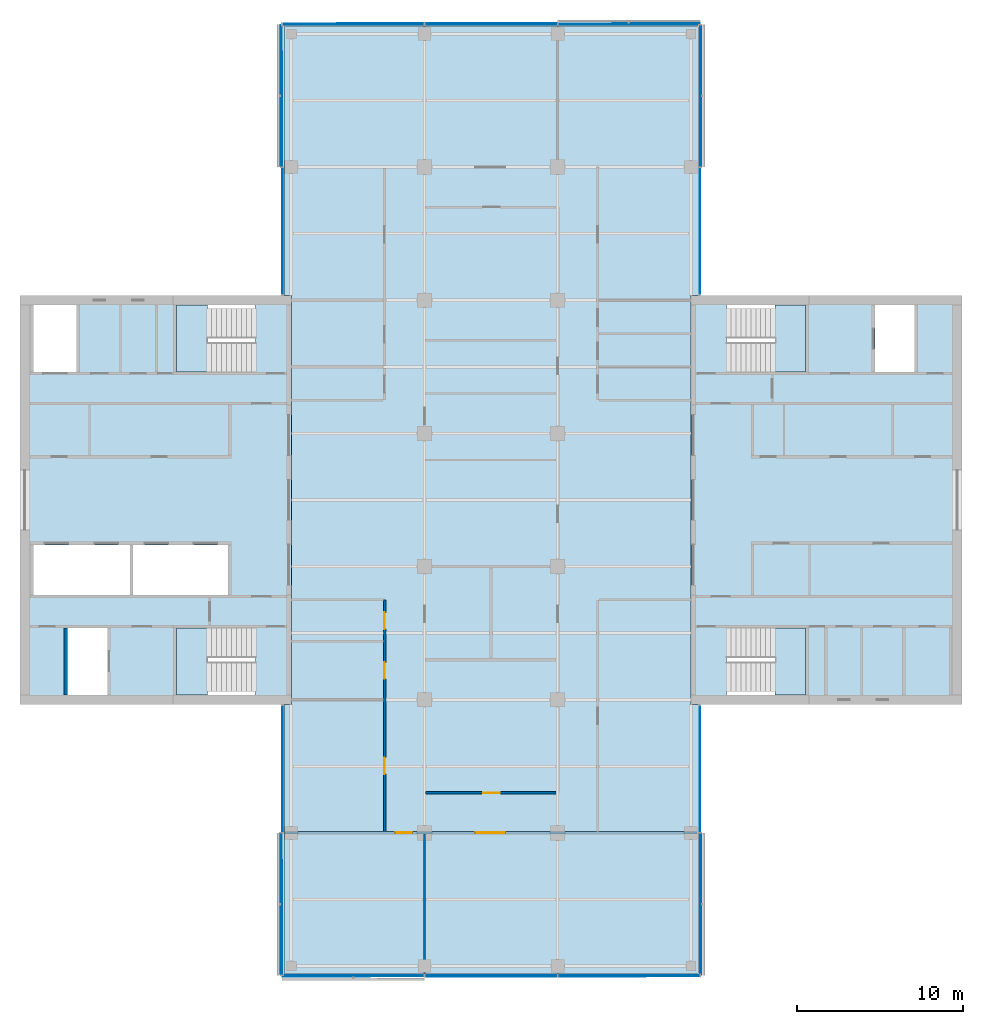
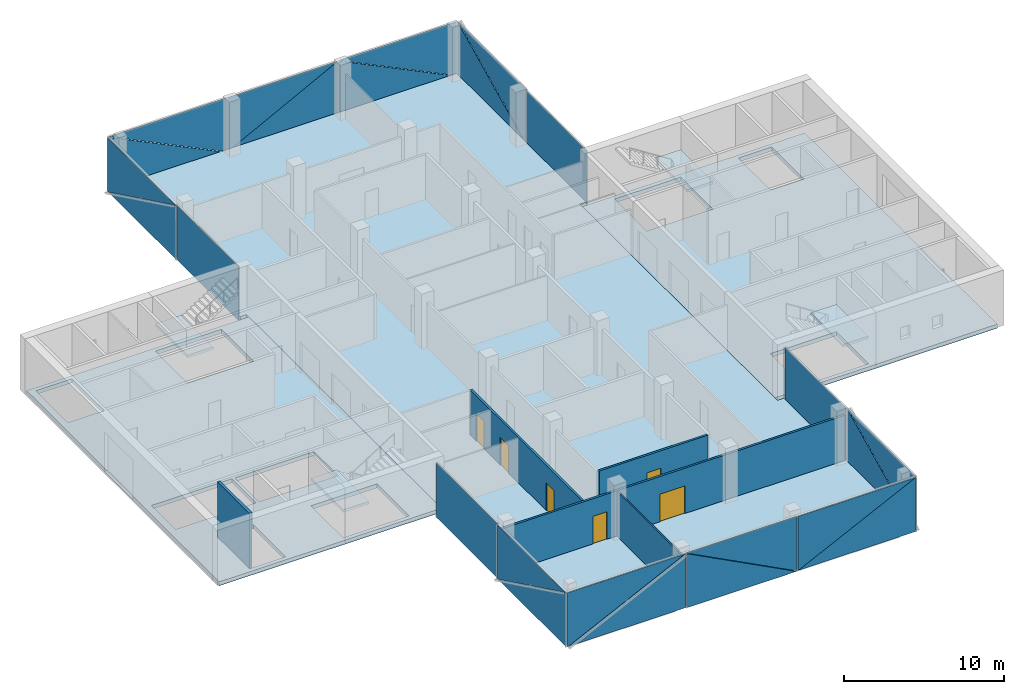
# One storey, part 8 of 15: 24 plates, 7 slabs, 6 doors, 5 walls, 6 openings, 14 elements without a shape of their own.
"""IFC4 building model written with IfcOpenShell, lengths in metres."""

from ifc_helpers import new_model, si_unit, direction, frame, frame_2d, origin, place, context, subcontext, project, spatial, polyline, rectangle, outline, extrude, material, layer, layer_set, type_object, element, fill, aggregate, save


model = new_model("IFC4")

# Units and contexts
model_context = context("Model", 3, precision=1e-05, world=origin(), true_north=direction((0.0, 1.0)))
body_context = subcontext(model_context, "Body", "Model", "MODEL_VIEW")
ifc_project = project(units=[si_unit("LENGTHUNIT", "METRE"), si_unit("AREAUNIT", "SQUARE_METRE"), si_unit("VOLUMEUNIT", "CUBIC_METRE"), si_unit("PLANEANGLEUNIT", "RADIAN"), si_unit("MASSUNIT", "GRAM", prefix="KILO")], contexts=[model_context])

# Site, building, storey
site_placement = place(None, origin())
site = spatial("IfcSite", under=ifc_project, at=site_placement, CompositionType="ELEMENT")
building_placement = place(site_placement, origin())
building = spatial("IfcBuilding", under=site, at=building_placement, Name="Crosswind Convention Tower", CompositionType="ELEMENT")
storey_placement = place(building_placement, frame((0.0, 0.0, 220.89990234375)))
storey = spatial("IfcBuildingStorey", under=building, at=storey_placement, Name="L47", CompositionType="ELEMENT", Elevation=220.89990234375)

# Slabs
ifc_material_1 = material(Name="Concrete C40/50", Category="concrete")
ifc_layer_1 = layer(ifc_material_1, 0.300048828125)
ifc_layer_set_1 = layer_set([ifc_layer_1], Name="Concrete C40/50")
slab_type_1 = type_object("IfcSlabType", Name="Composite floor slab 300", PredefinedType="FLOOR", material=ifc_layer_set_1)
slab_1_placement = place(storey_placement, frame((0.0, 0.0, -0.2998046875)))
element("IfcSlab", 1, at=slab_1_placement, inside=storey, type_object=slab_type_1, Name="Floor slab L47", PredefinedType="FLOOR", context=body_context, shape_type="SweptSolid", body=[
    extrude(outline(polyline([(137.449951171875, 71.550048828125), (137.0, 71.550048828125), (113.0, 71.550048828125), (112.550048828125, 71.550048828125), (112.550048828125, 72.0), (112.550048828125, 87.699951171875), (113.0, 87.699951171875), (113.0, 112.300048828125), (112.550048828125, 112.300048828125), (112.550048828125, 128.0), (112.550048828125, 128.449951171875), (113.0, 128.449951171875), (137.0, 128.449951171875), (137.449951171875, 128.449951171875), (137.449951171875, 128.0), (137.449951171875, 112.300048828125), (137.0, 112.300048828125), (137.0, 87.699951171875), (137.449951171875, 87.699951171875), (137.449951171875, 72.0), (137.449951171875, 71.550048828125)])), origin(), (0.0, 0.0, 1.0), 0.2998046875),
])
ifc_layer_2 = layer(ifc_material_1, 0.300048828125)
ifc_layer_set_2 = layer_set([ifc_layer_2], Name="Concrete C40/50")
slab_type_2 = type_object("IfcSlabType", Name="Concrete core floor slab 300", PredefinedType="FLOOR", material=ifc_layer_set_2)
slab_2_placement = place(storey_placement, frame((0.0, 0.0, -0.2998046875)))
element("IfcSlab", 2, at=slab_2_placement, inside=storey, type_object=slab_type_2, Name="Core floor slab E L47", PredefinedType="FLOOR", context=body_context, shape_type="SweptSolid", body=[
    extrude(outline(polyline([(137.0, 88.0), (153.0, 88.0), (153.0, 112.0), (137.0, 112.0), (137.0, 88.0)]), holes=[polyline([(150.449951171875, 107.699951171875), (150.449951171875, 111.699951171875), (148.050048828125, 111.699951171875), (148.050048828125, 107.699951171875), (150.449951171875, 107.699951171875)]), polyline([(143.89990234375, 107.699951171875), (143.89990234375, 111.699951171875), (139.14990234375, 111.699951171875), (139.14990234375, 107.699951171875), (143.89990234375, 107.699951171875)]), polyline([(143.89990234375, 88.300048828125), (143.89990234375, 92.300048828125), (139.14990234375, 92.300048828125), (139.14990234375, 88.300048828125), (143.89990234375, 88.300048828125)])]), origin(), (0.0, 0.0, 1.0), 0.2998046875),
])
slab_3_placement = place(storey_placement, frame((0.0, 0.0, -0.2998046875)))
element("IfcSlab", 3, at=slab_3_placement, inside=storey, type_object=slab_type_2, Name="Core floor slab W L47", PredefinedType="FLOOR", context=body_context, shape_type="SweptSolid", body=[
    extrude(outline(polyline([(97.0, 88.0), (113.0, 88.0), (113.0, 112.0), (97.0, 112.0), (97.0, 88.0)]), holes=[polyline([(109.199951171875, 94.300048828125), (109.199951171875, 97.300048828125), (103.5, 97.300048828125), (103.5, 94.300048828125), (109.199951171875, 94.300048828125)]), polyline([(103.300048828125, 94.300048828125), (103.300048828125, 97.300048828125), (97.5, 97.300048828125), (97.5, 94.300048828125), (103.300048828125, 94.300048828125)]), polyline([(101.949951171875, 88.300048828125), (101.949951171875, 92.300048828125), (99.550048828125, 92.300048828125), (99.550048828125, 88.300048828125), (101.949951171875, 88.300048828125)]), polyline([(100.10009765625, 107.699951171875), (100.10009765625, 111.699951171875), (97.5, 111.699951171875), (97.5, 107.699951171875), (100.10009765625, 107.699951171875)]), polyline([(110.85009765625, 88.300048828125), (110.85009765625, 92.300048828125), (106.10009765625, 92.300048828125), (106.10009765625, 88.300048828125), (110.85009765625, 88.300048828125)]), polyline([(110.85009765625, 107.699951171875), (110.85009765625, 111.699951171875), (106.10009765625, 111.699951171875), (106.10009765625, 107.699951171875), (110.85009765625, 107.699951171875)])]), origin(), (0.0, 0.0, 1.0), 0.2998046875),
])

# Stair, slab
stair_type = type_object("IfcStairType", Name="Exit stair 1800 wide, 2 flights of 11 risers", PredefinedType="HALF_TURN_STAIR", material=ifc_material_1)
stair_1_placement = place(storey_placement, origin())
stair_1 = element("IfcStair", 4, at=stair_1_placement, inside=storey, type_object=stair_type, Name="Exit stair ST1 L47", ObjectType="ST5", PredefinedType="HALF_TURN_STAIR")
ifc_layer_3 = layer(ifc_material_1, 0.199951171875)
ifc_layer_set_3 = layer_set([ifc_layer_3], Name="Concrete C40/50")
slab_type_3 = type_object("IfcSlabType", Name="Stair landing 200", PredefinedType="LANDING", material=ifc_layer_set_3)
slab_4_placement = place(storey_placement, frame((0.0, 0.0, 1.900146484375)))
slab_4 = element("IfcSlab", 5, at=slab_4_placement, type_object=slab_type_3, Name="ST1 landing 1", PredefinedType="LANDING", context=body_context, shape_type="SweptSolid", body=[
    extrude(outline(polyline([(143.89990234375, 107.699951171875), (143.89990234375, 111.699951171875), (142.050048828125, 111.699951171875), (142.050048828125, 107.699951171875), (143.89990234375, 107.699951171875)])), origin(), (0.0, 0.0, 1.0), 0.199951171875),
])
aggregate(stair_1, [slab_4])

stair_2_placement = place(storey_placement, origin())
stair_2 = element("IfcStair", 6, at=stair_2_placement, inside=storey, type_object=stair_type, Name="Exit stair ST2 L47", ObjectType="ST5", PredefinedType="HALF_TURN_STAIR")
slab_5_placement = place(storey_placement, frame((0.0, 0.0, 1.900146484375)))
slab_5 = element("IfcSlab", 7, at=slab_5_placement, type_object=slab_type_3, Name="ST2 landing 1", PredefinedType="LANDING", context=body_context, shape_type="SweptSolid", body=[
    extrude(outline(polyline([(143.89990234375, 88.300048828125), (143.89990234375, 92.300048828125), (142.050048828125, 92.300048828125), (142.050048828125, 88.300048828125), (143.89990234375, 88.300048828125)])), origin(), (0.0, 0.0, 1.0), 0.199951171875),
])
aggregate(stair_2, [slab_5])

stair_3_placement = place(storey_placement, origin())
stair_3 = element("IfcStair", 8, at=stair_3_placement, inside=storey, type_object=stair_type, Name="Exit stair ST3 L47", ObjectType="ST5", PredefinedType="HALF_TURN_STAIR")
slab_6_placement = place(storey_placement, frame((0.0, 0.0, 1.900146484375)))
slab_6 = element("IfcSlab", 9, at=slab_6_placement, type_object=slab_type_3, Name="ST3 landing 1", PredefinedType="LANDING", context=body_context, shape_type="SweptSolid", body=[
    extrude(outline(polyline([(107.949951171875, 88.300048828125), (107.949951171875, 92.300048828125), (106.10009765625, 92.300048828125), (106.10009765625, 88.300048828125), (107.949951171875, 88.300048828125)])), origin(), (0.0, 0.0, 1.0), 0.199951171875),
])
aggregate(stair_3, [slab_6])

stair_4_placement = place(storey_placement, origin())
stair_4 = element("IfcStair", 10, at=stair_4_placement, inside=storey, type_object=stair_type, Name="Exit stair ST4 L47", ObjectType="ST5", PredefinedType="HALF_TURN_STAIR")
slab_7_placement = place(storey_placement, frame((0.0, 0.0, 1.900146484375)))
slab_7 = element("IfcSlab", 11, at=slab_7_placement, type_object=slab_type_3, Name="ST4 landing 1", PredefinedType="LANDING", context=body_context, shape_type="SweptSolid", body=[
    extrude(outline(polyline([(107.949951171875, 107.699951171875), (107.949951171875, 111.699951171875), (106.10009765625, 111.699951171875), (106.10009765625, 107.699951171875), (107.949951171875, 107.699951171875)])), origin(), (0.0, 0.0, 1.0), 0.199951171875),
])
aggregate(stair_4, [slab_7])

# Curtain wall, plate
ifc_material_2 = material(Name="Aluminium unitised curtain wall", Category="aluminium")
curtain_wall_type_1 = type_object("IfcCurtainWallType", Name="CORE END SLOT WALL 160", PredefinedType="USERDEFINED", material=ifc_material_2)
curtain_wall_1_placement = place(storey_placement, origin())
curtain_wall_1 = element("IfcCurtainWall", 12, at=curtain_wall_1_placement, inside=storey, type_object=curtain_wall_type_1, Name="CW6 L47 N-E.1-1 slot", ObjectType="UNITISED", PredefinedType="USERDEFINED")
ifc_material_3 = material(Name="Laminated insulating glass unit", Category="glass")
ifc_layer_4 = layer(ifc_material_3, 0.02587890625)
ifc_layer_set_4 = layer_set([ifc_layer_4], Name="TRIANGULAR GLASS PANEL 26")
plate_type_1 = type_object("IfcPlateType", Name="TRIANGULAR GLASS PANEL 26", PredefinedType="CURTAIN_PANEL", material=ifc_layer_set_4)
plate_1_placement = place(storey_placement, frame((137.556884765625, 112.35009765625, -0.2998046875), z_axis=(0.999999915205, 0.0, 0.00041181312), x_axis=(0.0, 1.0, 0.0)))
plate_1 = element("IfcPlate", 13, at=plate_1_placement, type_object=plate_type_1, Name="CW6 panel 1.1", PredefinedType="CURTAIN_PANEL", context=body_context, shape_type="SweptSolid", body=[
    extrude(outline(polyline([(0.0, 0.0), (7.599853515625, 0.0), (7.599853515625, 4.149902695641109), (0.0, 4.149902695641109), (0.0, 0.0)])), origin(), (0.0, 0.0, -1.0), 0.02587890625),
])
aggregate(curtain_wall_1, [plate_1])

curtain_wall_2_placement = place(storey_placement, origin())
curtain_wall_2 = element("IfcCurtainWall", 14, at=curtain_wall_2_placement, inside=storey, type_object=curtain_wall_type_1, Name="CW6 L47 N-W.1-2 slot", ObjectType="UNITISED", PredefinedType="USERDEFINED")
plate_2_placement = place(storey_placement, frame((112.443115234375, 119.949951171875, -0.2998046875), z_axis=(-0.999999915205, 0.0, 0.00041181312), x_axis=(0.0, -1.0, 0.0)))
plate_2 = element("IfcPlate", 15, at=plate_2_placement, type_object=plate_type_1, Name="CW6 panel 1.1", PredefinedType="CURTAIN_PANEL", context=body_context, shape_type="SweptSolid", body=[
    extrude(outline(polyline([(0.0, 0.0), (7.599853515625, 0.0), (7.599853515625, 4.149902695641109), (0.0, 4.149902695641109), (0.0, 0.0)])), origin(), (0.0, 0.0, -1.0), 0.02587890625),
])
aggregate(curtain_wall_2, [plate_2])

curtain_wall_3_placement = place(storey_placement, origin())
curtain_wall_3 = element("IfcCurtainWall", 16, at=curtain_wall_3_placement, inside=storey, type_object=curtain_wall_type_1, Name="CW6 L47 S-W.1-1 slot", ObjectType="UNITISED", PredefinedType="USERDEFINED")
plate_3_placement = place(storey_placement, frame((112.443115234375, 87.64990234375, -0.2998046875), z_axis=(-0.999999915205, 0.0, 0.00041181312), x_axis=(0.0, -1.0, 0.0)))
plate_3 = element("IfcPlate", 17, at=plate_3_placement, type_object=plate_type_1, Name="CW6 panel 1.1", PredefinedType="CURTAIN_PANEL", context=body_context, shape_type="SweptSolid", body=[
    extrude(outline(polyline([(0.0, 0.0), (7.599853515625, 0.0), (7.599853515625, 4.149902695641109), (0.0, 4.149902695641109), (0.0, 0.0)])), origin(), (0.0, 0.0, -1.0), 0.02587890625),
])
aggregate(curtain_wall_3, [plate_3])

curtain_wall_4_placement = place(storey_placement, origin())
curtain_wall_4 = element("IfcCurtainWall", 18, at=curtain_wall_4_placement, inside=storey, type_object=curtain_wall_type_1, Name="CW6 L47 S-E.1-2 slot", ObjectType="UNITISED", PredefinedType="USERDEFINED")
plate_4_placement = place(storey_placement, frame((137.556884765625, 80.050048828125, -0.2998046875), z_axis=(0.999999915205, 0.0, 0.00041181312), x_axis=(0.0, 1.0, 0.0)))
plate_4 = element("IfcPlate", 19, at=plate_4_placement, type_object=plate_type_1, Name="CW6 panel 1.1", PredefinedType="CURTAIN_PANEL", context=body_context, shape_type="SweptSolid", body=[
    extrude(outline(polyline([(0.0, 0.0), (7.599853515625, 0.0), (7.599853515625, 4.149902695641109), (0.0, 4.149902695641109), (0.0, 0.0)])), origin(), (0.0, 0.0, -1.0), 0.02587890625),
])
aggregate(curtain_wall_4, [plate_4])

# Curtain wall, plates
curtain_wall_type_2 = type_object("IfcCurtainWallType", Name="OFFICE UNITISED WALL 220", PredefinedType="USERDEFINED", material=ifc_material_2)
curtain_wall_5_placement = place(storey_placement, origin())
curtain_wall_5 = element("IfcCurtainWall", 20, at=curtain_wall_5_placement, inside=storey, type_object=curtain_wall_type_2, Name="CW3 L47 N-E 1", ObjectType="UNITISED", PredefinedType="USERDEFINED")
ifc_layer_5 = layer(ifc_material_3, 0.031982421875)
ifc_layer_set_5 = layer_set([ifc_layer_5], Name="TRIANGULAR GLASS PANEL 32")
plate_type_2 = type_object("IfcPlateType", Name="TRIANGULAR GLASS PANEL 32", PredefinedType="CURTAIN_PANEL", material=ifc_layer_set_5)
plate_5_placement = place(storey_placement, frame((137.5927734375, 128.52490234375, -0.2998046875), z_axis=(0.999999913924, 0.0, 0.000414913129), x_axis=(-0.000414913129, 0.0, 0.999999913924)))
plate_5 = element("IfcPlate", 21, at=plate_5_placement, type_object=plate_type_2, Name="CW3 panel 1.1", PredefinedType="CURTAIN_PANEL", context=body_context, shape_type="SweptSolid", body=[
    extrude(outline(polyline([(0.0, 0.0), (4.118896838915043, 0.0), (0.0, 8.467041015624998), (0.0, 0.0)])), origin(), (0.0, 0.0, -1.0), 0.031982421875),
])
plate_6_placement = place(storey_placement, frame((137.625244140625, 120.034912109375, 3.830078125), z_axis=(0.99999993676, 0.0, 0.000355639833), x_axis=(0.000355639833, 0.0, -0.99999993676)))
plate_6 = element("IfcPlate", 22, at=plate_6_placement, type_object=plate_type_2, Name="CW3 panel 1.2", PredefinedType="CURTAIN_PANEL", context=body_context, shape_type="SweptSolid", body=[
    extrude(outline(polyline([(0.0, 0.0), (4.1188967448534015, 0.0), (0.0, 8.46728515625), (0.0, 0.0)])), origin(), (0.0, 0.0, -1.0), 0.031982421875),
])
aggregate(curtain_wall_5, [plate_5, plate_6])

curtain_wall_6_placement = place(storey_placement, origin())
curtain_wall_6 = element("IfcCurtainWall", 23, at=curtain_wall_6_placement, inside=storey, type_object=curtain_wall_type_2, Name="CW3 L47 N-TIP 1", ObjectType="UNITISED", PredefinedType="USERDEFINED")
plate_7_placement = place(storey_placement, frame((129.034912109375, 128.5927734375, -0.2998046875), z_axis=(0.0, 0.999999913924, 0.000414913129), x_axis=(0.0, -0.000414913129, 0.999999913924)))
plate_7 = element("IfcPlate", 24, at=plate_7_placement, type_object=plate_type_2, Name="CW3 panel 1.1", PredefinedType="CURTAIN_PANEL", context=body_context, shape_type="SweptSolid", body=[
    extrude(outline(polyline([(0.0, 0.0), (4.118896838915043, 0.0), (0.0, 8.467285156249998), (0.0, 0.0)])), origin(), (0.0, 0.0, -1.0), 0.031982421875),
])
plate_8_placement = place(storey_placement, frame((137.52490234375, 128.625244140625, 3.830078125), z_axis=(0.0, 0.99999993676, 0.000355639833), x_axis=(0.0, 0.000355639833, -0.99999993676)))
plate_8 = element("IfcPlate", 25, at=plate_8_placement, type_object=plate_type_2, Name="CW3 panel 1.2", PredefinedType="CURTAIN_PANEL", context=body_context, shape_type="SweptSolid", body=[
    extrude(outline(polyline([(0.0, 0.0), (4.1188967448534015, 0.0), (0.0, 8.467041015625), (0.0, 0.0)])), origin(), (0.0, 0.0, -1.0), 0.031982421875),
])
plate_9_placement = place(storey_placement, frame((121.034912109375, 128.591064453125, 3.830078125), z_axis=(0.0, 0.999999913913, 0.000414937724), x_axis=(1.0, 0.0, 0.0)))
plate_9 = element("IfcPlate", 26, at=plate_9_placement, type_object=plate_type_2, Name="CW3 panel 2.1", PredefinedType="CURTAIN_PANEL", context=body_context, shape_type="SweptSolid", body=[
    extrude(outline(polyline([(0.0, 0.0), (7.908447265625, 0.0), (0.0, 4.118652698311059), (0.0, 0.0)])), origin(), (0.0, 0.0, -1.0), 0.031982421875),
])
plate_10_placement = place(storey_placement, frame((128.965087890625, 128.626708984375, -0.2998046875), z_axis=(0.0, 0.999999936753, 0.000355660914), x_axis=(-1.0, 0.0, 0.0)))
plate_10 = element("IfcPlate", 27, at=plate_10_placement, type_object=plate_type_2, Name="CW3 panel 2.2", PredefinedType="CURTAIN_PANEL", context=body_context, shape_type="SweptSolid", body=[
    extrude(outline(polyline([(0.0, 0.0), (7.908447265625, 0.0), (0.0, 4.118652604243842), (0.0, 0.0)])), origin(), (0.0, 0.0, -1.0), 0.031982421875),
])
plate_11_placement = place(storey_placement, frame((112.47509765625, 128.5927734375, -0.2998046875), z_axis=(0.0, 0.999999913924, 0.000414913129), x_axis=(0.0, -0.000414913129, 0.999999913924)))
plate_11 = element("IfcPlate", 28, at=plate_11_placement, type_object=plate_type_2, Name="CW3 panel 3.1", PredefinedType="CURTAIN_PANEL", context=body_context, shape_type="SweptSolid", body=[
    extrude(outline(polyline([(0.0, 0.0), (4.118896838915043, 0.0), (0.0, 8.467041015624998), (0.0, 0.0)])), origin(), (0.0, 0.0, -1.0), 0.031982421875),
])
plate_12_placement = place(storey_placement, frame((120.965087890625, 128.625244140625, 3.830078125), z_axis=(0.0, 0.99999993676, 0.000355639833), x_axis=(0.0, 0.000355639833, -0.99999993676)))
plate_12 = element("IfcPlate", 29, at=plate_12_placement, type_object=plate_type_2, Name="CW3 panel 3.2", PredefinedType="CURTAIN_PANEL", context=body_context, shape_type="SweptSolid", body=[
    extrude(outline(polyline([(0.0, 0.0), (4.1188967448534015, 0.0), (0.0, 8.46728515625), (0.0, 0.0)])), origin(), (0.0, 0.0, -1.0), 0.031982421875),
])
aggregate(curtain_wall_6, [plate_7, plate_8, plate_9, plate_10, plate_11, plate_12])

curtain_wall_7_placement = place(storey_placement, origin())
curtain_wall_7 = element("IfcCurtainWall", 30, at=curtain_wall_7_placement, inside=storey, type_object=curtain_wall_type_2, Name="CW3 L47 N-W 1", ObjectType="UNITISED", PredefinedType="USERDEFINED")
plate_13_placement = place(storey_placement, frame((112.4072265625, 120.034912109375, -0.2998046875), z_axis=(-0.999999913924, 0.0, 0.000414913129), x_axis=(0.000414913129, 0.0, 0.999999913924)))
plate_13 = element("IfcPlate", 31, at=plate_13_placement, type_object=plate_type_2, Name="CW3 panel 1.1", PredefinedType="CURTAIN_PANEL", context=body_context, shape_type="SweptSolid", body=[
    extrude(outline(polyline([(0.0, 0.0), (4.118896838915043, 0.0), (0.0, 8.467285156249998), (0.0, 0.0)])), origin(), (0.0, 0.0, -1.0), 0.031982421875),
])
plate_14_placement = place(storey_placement, frame((112.374755859375, 128.52490234375, 3.830078125), z_axis=(-0.99999993676, 0.0, 0.000355639833), x_axis=(-0.000355639833, 0.0, -0.99999993676)))
plate_14 = element("IfcPlate", 32, at=plate_14_placement, type_object=plate_type_2, Name="CW3 panel 1.2", PredefinedType="CURTAIN_PANEL", context=body_context, shape_type="SweptSolid", body=[
    extrude(outline(polyline([(0.0, 0.0), (4.1188967448534015, 0.0), (0.0, 8.467041015625), (0.0, 0.0)])), origin(), (0.0, 0.0, -1.0), 0.031982421875),
])
aggregate(curtain_wall_7, [plate_13, plate_14])

curtain_wall_8_placement = place(storey_placement, origin())
curtain_wall_8 = element("IfcCurtainWall", 33, at=curtain_wall_8_placement, inside=storey, type_object=curtain_wall_type_2, Name="CW3 L47 S-W 1", ObjectType="UNITISED", PredefinedType="USERDEFINED")
plate_15_placement = place(storey_placement, frame((112.4072265625, 71.47509765625, -0.2998046875), z_axis=(-0.999999913924, 0.0, 0.000414913129), x_axis=(0.000414913129, 0.0, 0.999999913924)))
plate_15 = element("IfcPlate", 34, at=plate_15_placement, type_object=plate_type_2, Name="CW3 panel 1.1", PredefinedType="CURTAIN_PANEL", context=body_context, shape_type="SweptSolid", body=[
    extrude(outline(polyline([(0.0, 0.0), (4.118896838915043, 0.0), (0.0, 8.467041015624998), (0.0, 0.0)])), origin(), (0.0, 0.0, -1.0), 0.031982421875),
])
plate_16_placement = place(storey_placement, frame((112.374755859375, 79.965087890625, 3.830078125), z_axis=(-0.99999993676, 0.0, 0.000355639833), x_axis=(-0.000355639833, 0.0, -0.99999993676)))
plate_16 = element("IfcPlate", 35, at=plate_16_placement, type_object=plate_type_2, Name="CW3 panel 1.2", PredefinedType="CURTAIN_PANEL", context=body_context, shape_type="SweptSolid", body=[
    extrude(outline(polyline([(0.0, 0.0), (4.1188967448534015, 0.0), (0.0, 8.46728515625), (0.0, 0.0)])), origin(), (0.0, 0.0, -1.0), 0.031982421875),
])
aggregate(curtain_wall_8, [plate_15, plate_16])

curtain_wall_9_placement = place(storey_placement, origin())
curtain_wall_9 = element("IfcCurtainWall", 36, at=curtain_wall_9_placement, inside=storey, type_object=curtain_wall_type_2, Name="CW3 L47 S-TIP 1", ObjectType="UNITISED", PredefinedType="USERDEFINED")
plate_17_placement = place(storey_placement, frame((120.965087890625, 71.4072265625, -0.2998046875), z_axis=(0.0, -0.999999913924, 0.000414913129), x_axis=(0.0, 0.000414913129, 0.999999913924)))
plate_17 = element("IfcPlate", 37, at=plate_17_placement, type_object=plate_type_2, Name="CW3 panel 1.1", PredefinedType="CURTAIN_PANEL", context=body_context, shape_type="SweptSolid", body=[
    extrude(outline(polyline([(0.0, 0.0), (4.118896838915043, 0.0), (0.0, 8.467285156249998), (0.0, 0.0)])), origin(), (0.0, 0.0, -1.0), 0.031982421875),
])
plate_18_placement = place(storey_placement, frame((112.47509765625, 71.374755859375, 3.830078125), z_axis=(0.0, -0.99999993676, 0.000355639833), x_axis=(0.0, -0.000355639833, -0.99999993676)))
plate_18 = element("IfcPlate", 38, at=plate_18_placement, type_object=plate_type_2, Name="CW3 panel 1.2", PredefinedType="CURTAIN_PANEL", context=body_context, shape_type="SweptSolid", body=[
    extrude(outline(polyline([(0.0, 0.0), (4.1188967448534015, 0.0), (0.0, 8.467041015625), (0.0, 0.0)])), origin(), (0.0, 0.0, -1.0), 0.031982421875),
])
plate_19_placement = place(storey_placement, frame((128.965087890625, 71.408935546875, 3.830078125), z_axis=(0.0, -0.999999913913, 0.000414937724), x_axis=(-1.0, 0.0, 0.0)))
plate_19 = element("IfcPlate", 39, at=plate_19_placement, type_object=plate_type_2, Name="CW3 panel 2.1", PredefinedType="CURTAIN_PANEL", context=body_context, shape_type="SweptSolid", body=[
    extrude(outline(polyline([(0.0, 0.0), (7.908447265625, 0.0), (0.0, 4.118652698311059), (0.0, 0.0)])), origin(), (0.0, 0.0, -1.0), 0.031982421875),
])
plate_20_placement = place(storey_placement, frame((121.034912109375, 71.373291015625, -0.2998046875), z_axis=(0.0, -0.999999936753, 0.000355660914), x_axis=(1.0, 0.0, 0.0)))
plate_20 = element("IfcPlate", 40, at=plate_20_placement, type_object=plate_type_2, Name="CW3 panel 2.2", PredefinedType="CURTAIN_PANEL", context=body_context, shape_type="SweptSolid", body=[
    extrude(outline(polyline([(0.0, 0.0), (7.908447265625, 0.0), (0.0, 4.118652604243842), (0.0, 0.0)])), origin(), (0.0, 0.0, -1.0), 0.031982421875),
])
plate_21_placement = place(storey_placement, frame((137.52490234375, 71.4072265625, -0.2998046875), z_axis=(0.0, -0.999999913924, 0.000414913129), x_axis=(0.0, 0.000414913129, 0.999999913924)))
plate_21 = element("IfcPlate", 41, at=plate_21_placement, type_object=plate_type_2, Name="CW3 panel 3.1", PredefinedType="CURTAIN_PANEL", context=body_context, shape_type="SweptSolid", body=[
    extrude(outline(polyline([(0.0, 0.0), (4.118896838915043, 0.0), (0.0, 8.467041015624998), (0.0, 0.0)])), origin(), (0.0, 0.0, -1.0), 0.031982421875),
])
plate_22_placement = place(storey_placement, frame((129.034912109375, 71.374755859375, 3.830078125), z_axis=(0.0, -0.99999993676, 0.000355639833), x_axis=(0.0, -0.000355639833, -0.99999993676)))
plate_22 = element("IfcPlate", 42, at=plate_22_placement, type_object=plate_type_2, Name="CW3 panel 3.2", PredefinedType="CURTAIN_PANEL", context=body_context, shape_type="SweptSolid", body=[
    extrude(outline(polyline([(0.0, 0.0), (4.1188967448534015, 0.0), (0.0, 8.46728515625), (0.0, 0.0)])), origin(), (0.0, 0.0, -1.0), 0.031982421875),
])
aggregate(curtain_wall_9, [plate_17, plate_18, plate_19, plate_20, plate_21, plate_22])

curtain_wall_10_placement = place(storey_placement, origin())
curtain_wall_10 = element("IfcCurtainWall", 43, at=curtain_wall_10_placement, inside=storey, type_object=curtain_wall_type_2, Name="CW3 L47 S-E 1", ObjectType="UNITISED", PredefinedType="USERDEFINED")
plate_23_placement = place(storey_placement, frame((137.5927734375, 79.965087890625, -0.2998046875), z_axis=(0.999999913924, 0.0, 0.000414913129), x_axis=(-0.000414913129, 0.0, 0.999999913924)))
plate_23 = element("IfcPlate", 44, at=plate_23_placement, type_object=plate_type_2, Name="CW3 panel 1.1", PredefinedType="CURTAIN_PANEL", context=body_context, shape_type="SweptSolid", body=[
    extrude(outline(polyline([(0.0, 0.0), (4.118896838915043, 0.0), (0.0, 8.467285156249998), (0.0, 0.0)])), origin(), (0.0, 0.0, -1.0), 0.031982421875),
])
plate_24_placement = place(storey_placement, frame((137.625244140625, 71.47509765625, 3.830078125), z_axis=(0.99999993676, 0.0, 0.000355639833), x_axis=(0.000355639833, 0.0, -0.99999993676)))
plate_24 = element("IfcPlate", 45, at=plate_24_placement, type_object=plate_type_2, Name="CW3 panel 1.2", PredefinedType="CURTAIN_PANEL", context=body_context, shape_type="SweptSolid", body=[
    extrude(outline(polyline([(0.0, 0.0), (4.1188967448534015, 0.0), (0.0, 8.467041015625), (0.0, 0.0)])), origin(), (0.0, 0.0, -1.0), 0.031982421875),
])
aggregate(curtain_wall_10, [plate_23, plate_24])

# Walls
ifc_material_4 = material(Name="Concrete C50/60", Category="concrete")
ifc_layer_6 = layer(ifc_material_4, 0.199951171875)
ifc_layer_set_6 = layer_set([ifc_layer_6], Name="Concrete C50/60")
wall_type_1 = type_object("IfcWallType", Name="Concrete shaft and stair wall 200", PredefinedType="SHEAR", material=ifc_layer_set_6)
wall_1_placement = place(storey_placement, frame((99.449951171875, 92.300048828125, 0.0), z_axis=(0.0, 0.0, 1.0), x_axis=(0.0, -1.0, 0.0)))
element("IfcWall", 46, at=wall_1_placement, inside=storey, type_object=wall_type_1, Name="Wall PFSE W L47", PredefinedType="SHEAR", context=body_context, shape_type="SweptSolid", body=[
    extrude(rectangle(XDim=4.0, YDim=0.199951171875, at=frame_2d((2.0, 0.0))), origin(), (0.0, 0.0, 1.0), 4.2001953125),
])
ifc_material_5 = material(Name="Plasterboard partition", Category="gypsum")
ifc_layer_7 = layer(ifc_material_5, 0.10009765625)
ifc_layer_set_7 = layer_set([ifc_layer_7], Name="PARTITION 100 METAL STUD")
wall_type_2 = type_object("IfcWallType", Name="PARTITION 100 METAL STUD", PredefinedType="PARTITIONING", material=ifc_layer_set_7)
wall_2_placement = place(storey_placement, frame((121.0, 71.6298828125, 0.0), z_axis=(0.0, 0.0, 1.0), x_axis=(0.0, 1.0, 0.0)))
element("IfcWall", 47, at=wall_2_placement, inside=storey, type_object=wall_type_2, Name="Partition wall WT40", PredefinedType="PARTITIONING", context=body_context, shape_type="SweptSolid", body=[
    extrude(rectangle(XDim=8.295166015625, YDim=0.10009765625, at=frame_2d((4.1474609375, 0.0))), origin(), (0.0, 0.0, 1.0), 3.43994140625),
])

# Wall, openings, doors
ifc_material_6 = material(Name="Fire-board partition with mineral wool", Category="gypsum")
ifc_layer_8 = layer(ifc_material_6, 0.14990234375)
ifc_layer_set_8 = layer_set([ifc_layer_8], Name="TENANCY WALL 150 TWO-HOUR BOARD")
wall_type_3 = type_object("IfcWallType", Name="TENANCY WALL 150 TWO-HOUR BOARD", PredefinedType="PARTITIONING", material=ifc_layer_set_8)
wall_3_placement = place(storey_placement, frame((118.60009765625, 80.074951171875, 0.0), z_axis=(0.0, 0.0, 1.0), x_axis=(0.0, 1.0, 0.0)))
wall_3 = element("IfcWall", 48, at=wall_3_placement, inside=storey, type_object=wall_type_3, Name="Tenancy wall WT41", PredefinedType="PARTITIONING", context=body_context, shape_type="SweptSolid", body=[
    extrude(rectangle(XDim=13.925048828125, YDim=0.14990234375, at=frame_2d((6.96240234375, 0.0))), origin(), (0.0, 0.0, 1.0), 3.43994140625),
])
opening_1_placement = place(wall_3_placement, frame((12.175048828125, 0.0, 0.0)))
opening_1 = element("IfcOpeningElement", 49, at=opening_1_placement, cuts=wall_3, Name="Opening L47-58", PredefinedType="OPENING", context=body_context, shape_type="SweptSolid", body=[
    extrude(rectangle(XDim=1.0, YDim=2.10009765625, at=frame_2d((0.5, 1.050048828125))), frame((0.0, 0.0849609375, 0.0), z_axis=(0.0, -1.0, 0.0), x_axis=(1.0, 0.0, 0.0)), (0.0, 0.0, 1.0), 0.169921875),
])
opening_2_placement = place(wall_3_placement, frame((9.175048828125, 0.0, 0.0)))
opening_2 = element("IfcOpeningElement", 50, at=opening_2_placement, cuts=wall_3, Name="Opening L47-59", PredefinedType="OPENING", context=body_context, shape_type="SweptSolid", body=[
    extrude(rectangle(XDim=1.0, YDim=2.10009765625, at=frame_2d((0.5, 1.050048828125))), frame((0.0, 0.0849609375, 0.0), z_axis=(0.0, -1.0, 0.0), x_axis=(1.0, 0.0, 0.0)), (0.0, 0.0, 1.0), 0.169921875),
])
opening_3_placement = place(wall_3_placement, frame((3.449951171875, 0.0, 0.0)))
opening_3 = element("IfcOpeningElement", 51, at=opening_3_placement, cuts=wall_3, Name="Opening L47-60", PredefinedType="OPENING", context=body_context, shape_type="SweptSolid", body=[
    extrude(rectangle(XDim=1.0, YDim=2.10009765625, at=frame_2d((0.5, 1.050048828125))), frame((0.0, 0.0849609375, 0.0), z_axis=(0.0, -1.0, 0.0), x_axis=(1.0, 0.0, 0.0)), (0.0, 0.0, 1.0), 0.169921875),
])
ifc_material_7 = material(Name="Timber fire door", Category="wood")
door_type_1 = type_object("IfcDoorType", Name="TENANCY ENTRANCE DOOR 1000X2100 FD30S", OperationType="NOTDEFINED", PredefinedType="DOOR", material=ifc_material_7)
door_1_placement = place(opening_1_placement, origin())
door_1 = element("IfcDoor", 52, at=door_1_placement, inside=storey, type_object=door_type_1, Name="Door L47-58", ObjectType="D41", OperationType="SINGLE_SWING_RIGHT", OverallHeight=2.10009765625, OverallWidth=1.0, PredefinedType="DOOR", context=body_context, shape_type="SweptSolid", body=[
    extrude(rectangle(XDim=1.0, YDim=2.10009765625, at=frame_2d((0.5, 1.050048828125))), frame((0.0, 0.02490234375, 0.0), z_axis=(0.0, -1.0, 0.0), x_axis=(1.0, 0.0, 0.0)), (0.0, 0.0, 1.0), 0.050048828125),
])
fill(opening_1, door_1)
door_2_placement = place(opening_2_placement, origin())
door_2 = element("IfcDoor", 53, at=door_2_placement, inside=storey, type_object=door_type_1, Name="Door L47-59", ObjectType="D41", OperationType="SINGLE_SWING_RIGHT", OverallHeight=2.10009765625, OverallWidth=1.0, PredefinedType="DOOR", context=body_context, shape_type="SweptSolid", body=[
    extrude(rectangle(XDim=1.0, YDim=2.10009765625, at=frame_2d((0.5, 1.050048828125))), frame((0.0, 0.02490234375, 0.0), z_axis=(0.0, -1.0, 0.0), x_axis=(1.0, 0.0, 0.0)), (0.0, 0.0, 1.0), 0.050048828125),
])
fill(opening_2, door_2)
door_3_placement = place(opening_3_placement, origin())
door_3 = element("IfcDoor", 54, at=door_3_placement, inside=storey, type_object=door_type_1, Name="Door L47-60", ObjectType="D41", OperationType="SINGLE_SWING_RIGHT", OverallHeight=2.10009765625, OverallWidth=1.0, PredefinedType="DOOR", context=body_context, shape_type="SweptSolid", body=[
    extrude(rectangle(XDim=1.0, YDim=2.10009765625, at=frame_2d((0.5, 1.050048828125))), frame((0.0, 0.02490234375, 0.0), z_axis=(0.0, -1.0, 0.0), x_axis=(1.0, 0.0, 0.0)), (0.0, 0.0, 1.0), 0.050048828125),
])
fill(opening_3, door_3)

wall_4_placement = place(storey_placement, frame((112.6298828125, 80.0, 0.0), z_axis=(0.0, 0.0, 1.0), x_axis=(1.0, 0.0, 0.0)))
wall_4 = element("IfcWall", 55, at=wall_4_placement, inside=storey, type_object=wall_type_3, Name="Tenancy wall WT41", PredefinedType="PARTITIONING", context=body_context, shape_type="SweptSolid", body=[
    extrude(rectangle(XDim=24.740234375, YDim=0.14990234375, at=frame_2d((12.3701171875, 0.0))), origin(), (0.0, 0.0, 1.0), 3.43994140625),
])
opening_4_placement = place(wall_4_placement, frame((6.6201171875, 0.0, 0.0)))
opening_4 = element("IfcOpeningElement", 56, at=opening_4_placement, cuts=wall_4, Name="Opening L47-62", PredefinedType="OPENING", context=body_context, shape_type="SweptSolid", body=[
    extrude(rectangle(XDim=1.0, YDim=2.10009765625, at=frame_2d((0.5, 1.050048828125))), frame((0.0, 0.0849609375, 0.0), z_axis=(0.0, -1.0, 0.0), x_axis=(1.0, 0.0, 0.0)), (0.0, 0.0, 1.0), 0.169921875),
])
opening_5_placement = place(wall_4_placement, frame((11.419921875, 0.0, 0.0)))
opening_5 = element("IfcOpeningElement", 57, at=opening_5_placement, cuts=wall_4, Name="Opening L47-63", PredefinedType="OPENING", context=body_context, shape_type="SweptSolid", body=[
    extrude(rectangle(XDim=1.800048828125, YDim=2.10009765625, at=frame_2d((0.89990234375, 1.050048828125))), frame((0.0, 0.0849609375, 0.0), z_axis=(0.0, -1.0, 0.0), x_axis=(1.0, 0.0, 0.0)), (0.0, 0.0, 1.0), 0.169921875),
])
door_4_placement = place(opening_4_placement, frame((1.0, 0.0, 0.0), z_axis=(0.0, 0.0, 1.0), x_axis=(-1.0, 0.0, 0.0)))
door_4 = element("IfcDoor", 58, at=door_4_placement, inside=storey, type_object=door_type_1, Name="Door L47-62", ObjectType="D41", OperationType="SINGLE_SWING_LEFT", OverallHeight=2.10009765625, OverallWidth=1.0, PredefinedType="DOOR", context=body_context, shape_type="SweptSolid", body=[
    extrude(rectangle(XDim=1.0, YDim=2.10009765625, at=frame_2d((0.5, 1.050048828125))), frame((0.0, 0.02490234375, 0.0), z_axis=(0.0, -1.0, 0.0), x_axis=(1.0, 0.0, 0.0)), (0.0, 0.0, 1.0), 0.050048828125),
])
fill(opening_4, door_4)
door_type_2 = type_object("IfcDoorType", Name="TENANCY ENTRANCE DOUBLE DOOR 1800X2100 FD30S", OperationType="DOUBLE_DOOR_SINGLE_SWING", PredefinedType="DOOR", material=ifc_material_7)
door_5_placement = place(opening_5_placement, frame((1.800048828125, 0.0, 0.0), z_axis=(0.0, 0.0, 1.0), x_axis=(-1.0, 0.0, 0.0)))
door_5 = element("IfcDoor", 59, at=door_5_placement, inside=storey, type_object=door_type_2, Name="Door L47-63", ObjectType="D42", OperationType="DOUBLE_DOOR_SINGLE_SWING", OverallHeight=2.10009765625, OverallWidth=1.800048828125, PredefinedType="DOOR", context=body_context, shape_type="SweptSolid", body=[
    extrude(rectangle(XDim=1.800048828125, YDim=2.10009765625, at=frame_2d((0.89990234375, 1.050048828125))), frame((0.0, 0.02490234375, 0.0), z_axis=(0.0, -1.0, 0.0), x_axis=(1.0, 0.0, 0.0)), (0.0, 0.0, 1.0), 0.050048828125),
])
fill(opening_5, door_5)

# Wall, opening, door
wall_5_placement = place(storey_placement, frame((121.074951171875, 82.39990234375, 0.0), z_axis=(0.0, 0.0, 1.0), x_axis=(1.0, 0.0, 0.0)))
wall_5 = element("IfcWall", 60, at=wall_5_placement, inside=storey, type_object=wall_type_3, Name="Tenancy wall WT41", PredefinedType="PARTITIONING", context=body_context, shape_type="SweptSolid", body=[
    extrude(rectangle(XDim=7.824951171875, YDim=0.14990234375, at=frame_2d((3.91259765625, 0.0))), origin(), (0.0, 0.0, 1.0), 3.43994140625),
])
opening_6_placement = place(wall_5_placement, frame((3.449951171875, 0.0, 0.0)))
opening_6 = element("IfcOpeningElement", 61, at=opening_6_placement, cuts=wall_5, Name="Opening L47-64", PredefinedType="OPENING", context=body_context, shape_type="SweptSolid", body=[
    extrude(rectangle(XDim=1.0, YDim=2.10009765625, at=frame_2d((0.5, 1.050048828125))), frame((0.0, 0.0849609375, 0.0), z_axis=(0.0, -1.0, 0.0), x_axis=(1.0, 0.0, 0.0)), (0.0, 0.0, 1.0), 0.169921875),
])
door_6_placement = place(opening_6_placement, origin())
door_6 = element("IfcDoor", 62, at=door_6_placement, inside=storey, type_object=door_type_1, Name="Door L47-64", ObjectType="D41", OperationType="SINGLE_SWING_RIGHT", OverallHeight=2.10009765625, OverallWidth=1.0, PredefinedType="DOOR", context=body_context, shape_type="SweptSolid", body=[
    extrude(rectangle(XDim=1.0, YDim=2.10009765625, at=frame_2d((0.5, 1.050048828125))), frame((0.0, 0.02490234375, 0.0), z_axis=(0.0, -1.0, 0.0), x_axis=(1.0, 0.0, 0.0)), (0.0, 0.0, 1.0), 0.050048828125),
])
fill(opening_6, door_6)

save(model, "model.ifc")
